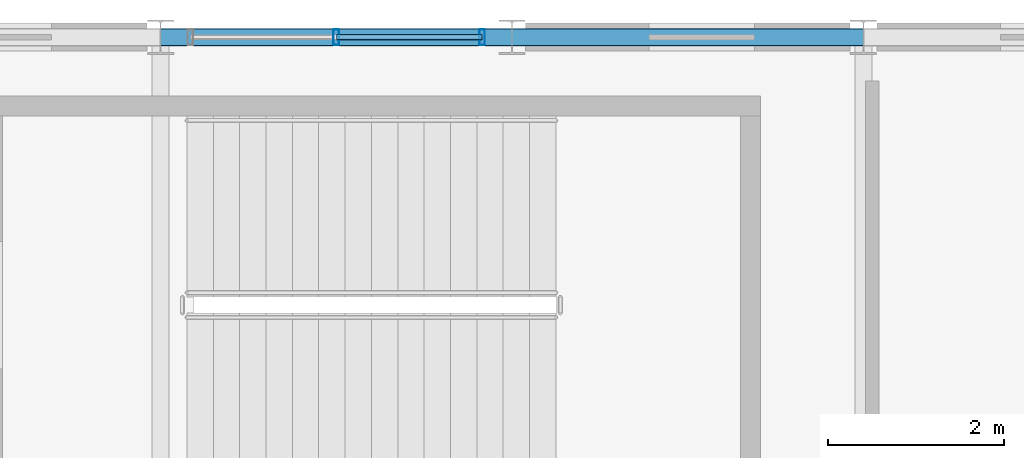
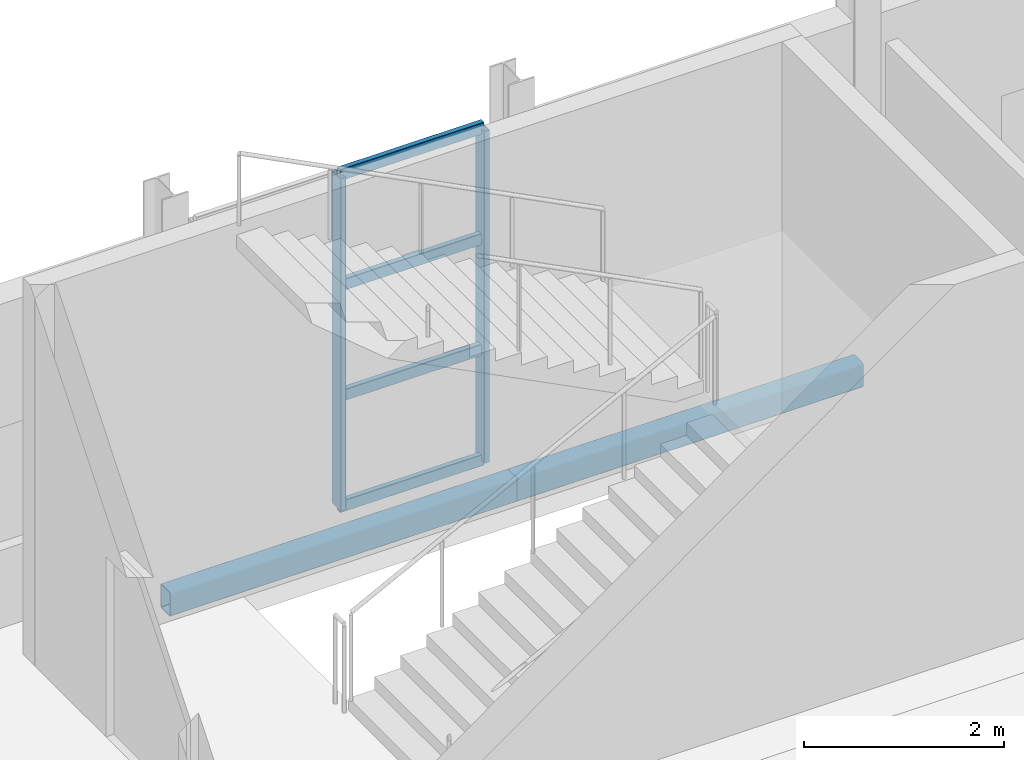
# One storey, part 52 of 67: 6 members, 2 beams, 1 element without a shape of its own.
"""IFC4 building model written with IfcOpenShell, lengths in metres."""

from ifc_helpers import new_model, si_unit, derived_unit, direction, frame, origin, origin_2d, place, context, subcontext, project, spatial, hollow_rectangle, extrude, material, material_profile, profile_set, type_object, element, aggregate, save


model = new_model("IFC4")

# Units and contexts
model_context = context("Model", 3, precision=1e-05, world=origin(), true_north=direction((0.0, 1.0)))
body_context = subcontext(model_context, "Body", "Model", "MODEL_VIEW")
ifc_project = project(units=[si_unit("LENGTHUNIT", "METRE"), si_unit("AREAUNIT", "SQUARE_METRE"), si_unit("VOLUMEUNIT", "CUBIC_METRE"), si_unit("PLANEANGLEUNIT", "RADIAN"), si_unit("MASSUNIT", "GRAM", prefix="KILO"), derived_unit("THERMALTRANSMITTANCEUNIT", [(si_unit("POWERUNIT", "WATT"), 1), (si_unit("LENGTHUNIT", "METRE"), -2), (si_unit("THERMODYNAMICTEMPERATUREUNIT", "KELVIN"), -1)])], contexts=[model_context])

# Site, building, storey
site_placement = place(None, origin())
site = spatial("IfcSite", under=ifc_project, at=site_placement, CompositionType="ELEMENT")
building_placement = place(site_placement, origin())
building = spatial("IfcBuilding", under=site, at=building_placement, Name="Keldorne Ridge Multi-Sports Centre", CompositionType="ELEMENT")
storey_placement = place(building_placement, frame((0.0, 0.0, 14.0)))
storey = spatial("IfcBuildingStorey", under=building, at=storey_placement, Name="L03", CompositionType="ELEMENT", Elevation=14.0)

# Beams
ifc_material_1 = material(Name="Steel S355", Category="steel")
ifc_material_profile_1 = material_profile(ifc_material_1, hollow_rectangle(XDim=0.199951171875, YDim=0.300048828125, WallThickness=0.012451171875, InnerFilletRadius=0.012451171875, OuterFilletRadius=0.02490234375, at=origin_2d()), Name="RHS 300x200x12.5")
ifc_profile_set_1 = profile_set([ifc_material_profile_1], Name="Steel S355")
beam_type = type_object("IfcBeamType", Name="BM-SP-01", PredefinedType="SPANDREL", material=ifc_profile_set_1)
for number, where, z_axis, x_axis, name in (
    (1, (128.0, 117.0, -0.449951171875), (1.0, 0.0, 0.0), (0.0, 1.0, 0.0), "L03 primary beam 5.117"),
    (2, (132.0, 117.0, -0.449951171875), (1.0, 0.0, 0.0), (0.0, 1.0, 0.0), "L03 primary beam 6.117"),
):
    element("IfcBeam", number, at=place(storey_placement, frame(where, z_axis=z_axis, x_axis=x_axis)), inside=storey, type_object=beam_type, Name=name, PredefinedType="SPANDREL", context=body_context, shape_type="SweptSolid", body=[
        extrude(hollow_rectangle(XDim=0.199951171875, YDim=0.300048828125, WallThickness=0.012451171875, InnerFilletRadius=0.012451171875, OuterFilletRadius=0.02490234375, at=origin_2d()), origin(), (0.0, 0.0, 1.0), 4.0),
    ])

# Curtain wall, members
ifc_material_2 = material(Name="Anodized aluminium", Category="aluminium")
curtain_wall_type = type_object("IfcCurtainWallType", Name="CW-CW-06", PredefinedType="NOTDEFINED", material=ifc_material_2)
curtain_wall_placement = place(storey_placement, origin())
curtain_wall = element("IfcCurtainWall", 3, at=curtain_wall_placement, inside=storey, type_object=curtain_wall_type, Name="East Wing L03 north curtain wall 158", PredefinedType="NOTDEFINED")
ifc_material_profile_2 = material_profile(ifc_material_2, hollow_rectangle(XDim=0.06494140625, YDim=0.179931640625, WallThickness=0.00439453125, InnerFilletRadius=0.00439453125, OuterFilletRadius=0.009033203125, at=origin_2d()), Name="ALU MULLION 180x65x4.5")
ifc_profile_set_2 = profile_set([ifc_material_profile_2], Name="Anodized aluminium")
member_type_1 = type_object("IfcMemberType", Name="MEM-ML-01", PredefinedType="MULLION", material=ifc_profile_set_2)
member_1_placement = place(storey_placement, frame((131.659912109375, 117.0, 0.0), z_axis=(0.0, 0.0, 1.0), x_axis=(1.0, 0.0, 0.0)))
member_1 = element("IfcMember", 4, at=member_1_placement, type_object=member_type_1, Name="CW-158 vertical mullion 1", PredefinedType="MULLION", context=body_context, shape_type="SweptSolid", body=[
    extrude(hollow_rectangle(XDim=0.06494140625, YDim=0.179931640625, WallThickness=0.00439453125, InnerFilletRadius=0.00439453125, OuterFilletRadius=0.009033203125, at=origin_2d()), origin(), (0.0, 0.0, 1.0), 4.050048828125),
])
member_2_placement = place(storey_placement, frame((130.0, 117.0, 0.0), z_axis=(0.0, 0.0, 1.0), x_axis=(1.0, 0.0, 0.0)))
member_2 = element("IfcMember", 5, at=member_2_placement, type_object=member_type_1, Name="CW-158 vertical mullion 2", PredefinedType="MULLION", context=body_context, shape_type="SweptSolid", body=[
    extrude(hollow_rectangle(XDim=0.06494140625, YDim=0.179931640625, WallThickness=0.00439453125, InnerFilletRadius=0.00439453125, OuterFilletRadius=0.009033203125, at=origin_2d()), origin(), (0.0, 0.0, 1.0), 4.050048828125),
])
ifc_material_profile_3 = material_profile(ifc_material_2, hollow_rectangle(XDim=0.06494140625, YDim=0.139892578125, WallThickness=0.00439453125, InnerFilletRadius=0.00439453125, OuterFilletRadius=0.009033203125, at=origin_2d()), Name="ALU TRANSOM 140x65x4.5")
ifc_profile_set_3 = profile_set([ifc_material_profile_3], Name="Anodized aluminium")
member_type_2 = type_object("IfcMemberType", Name="MEM-TR-01", PredefinedType="USERDEFINED", material=ifc_profile_set_3)
member_3_placement = place(storey_placement, frame((131.659912109375, 117.0, 0.0), z_axis=(-1.0, 0.0, 0.0), x_axis=(0.0, -1.0, 0.0)))
member_3 = element("IfcMember", 6, at=member_3_placement, type_object=member_type_2, Name="CW-158 transom 1.1", ObjectType="TRANSOM", PredefinedType="USERDEFINED", context=body_context, shape_type="SweptSolid", body=[
    extrude(hollow_rectangle(XDim=0.06494140625, YDim=0.139892578125, WallThickness=0.00439453125, InnerFilletRadius=0.00439453125, OuterFilletRadius=0.009033203125, at=origin_2d()), origin(), (0.0, 0.0, 1.0), 1.659912109375),
])
member_4_placement = place(storey_placement, frame((131.659912109375, 117.0, 1.35009765625), z_axis=(-1.0, 0.0, 0.0), x_axis=(0.0, -1.0, 0.0)))
member_4 = element("IfcMember", 7, at=member_4_placement, type_object=member_type_2, Name="CW-158 transom 1.2", ObjectType="TRANSOM", PredefinedType="USERDEFINED", context=body_context, shape_type="SweptSolid", body=[
    extrude(hollow_rectangle(XDim=0.06494140625, YDim=0.139892578125, WallThickness=0.00439453125, InnerFilletRadius=0.00439453125, OuterFilletRadius=0.009033203125, at=origin_2d()), origin(), (0.0, 0.0, 1.0), 1.659912109375),
])
member_5_placement = place(storey_placement, frame((131.659912109375, 117.0, 2.699951171875), z_axis=(-1.0, 0.0, 0.0), x_axis=(0.0, -1.0, 0.0)))
member_5 = element("IfcMember", 8, at=member_5_placement, type_object=member_type_2, Name="CW-158 transom 1.3", ObjectType="TRANSOM", PredefinedType="USERDEFINED", context=body_context, shape_type="SweptSolid", body=[
    extrude(hollow_rectangle(XDim=0.06494140625, YDim=0.139892578125, WallThickness=0.00439453125, InnerFilletRadius=0.00439453125, OuterFilletRadius=0.009033203125, at=origin_2d()), origin(), (0.0, 0.0, 1.0), 1.659912109375),
])
member_6_placement = place(storey_placement, frame((131.659912109375, 117.0, 4.050048828125), z_axis=(-1.0, 0.0, 0.0), x_axis=(0.0, -1.0, 0.0)))
member_6 = element("IfcMember", 9, at=member_6_placement, type_object=member_type_2, Name="CW-158 transom 1.4", ObjectType="TRANSOM", PredefinedType="USERDEFINED", context=body_context, shape_type="SweptSolid", body=[
    extrude(hollow_rectangle(XDim=0.06494140625, YDim=0.139892578125, WallThickness=0.00439453125, InnerFilletRadius=0.00439453125, OuterFilletRadius=0.009033203125, at=origin_2d()), origin(), (0.0, 0.0, 1.0), 1.659912109375),
])
aggregate(curtain_wall, [member_1, member_2, member_3, member_4, member_5, member_6])

save(model, "model.ifc")
